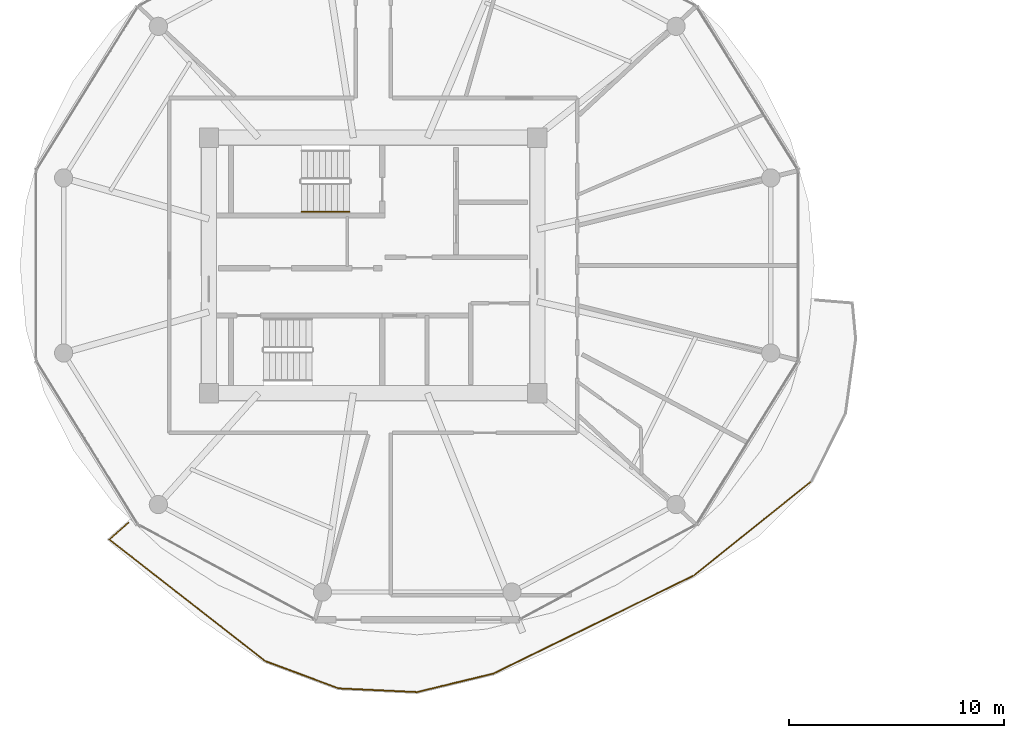
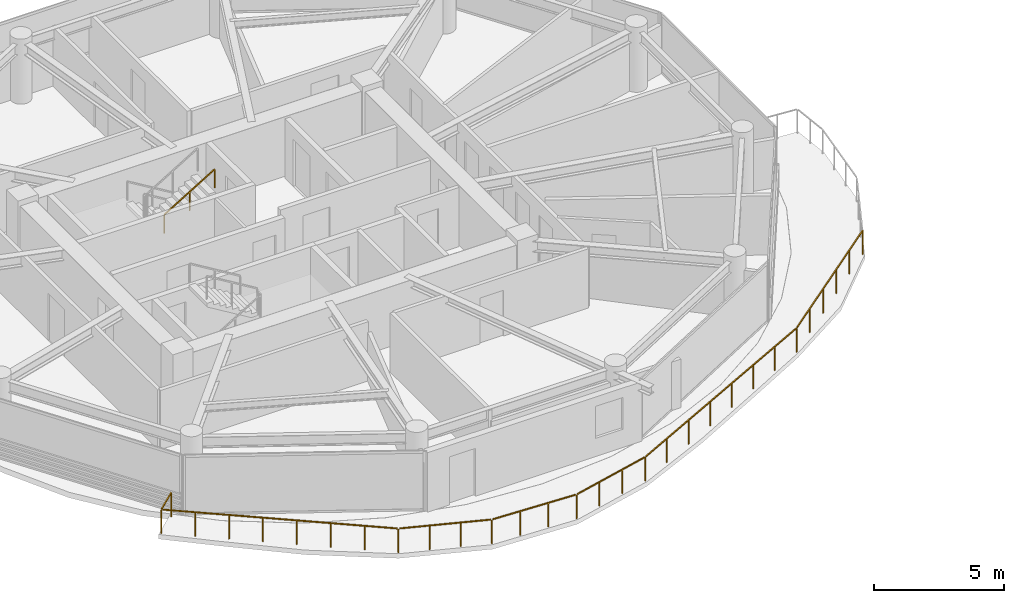
# One storey, part 20 of 24: 2 railings.
"""IFC4 building model written with IfcOpenShell, lengths in metres."""

from ifc_helpers import new_model, si_unit, direction, frame, origin, origin_2d, place, context, subcontext, project, spatial, rectangle, extrude, material, type_object, element, save


model = new_model("IFC4")

# Units and contexts
model_context = context("Model", 3, precision=1e-05, world=origin(), true_north=direction((0.0, 1.0)))
body_context = subcontext(model_context, "Body", "Model", "MODEL_VIEW")
ifc_project = project(units=[si_unit("LENGTHUNIT", "METRE"), si_unit("AREAUNIT", "SQUARE_METRE"), si_unit("VOLUMEUNIT", "CUBIC_METRE"), si_unit("PLANEANGLEUNIT", "RADIAN"), si_unit("MASSUNIT", "GRAM", prefix="KILO")], contexts=[model_context])

# Site, building, storey
site_placement = place(None, origin())
site = spatial("IfcSite", under=ifc_project, at=site_placement, CompositionType="ELEMENT")
building_placement = place(site_placement, origin())
building = spatial("IfcBuilding", under=site, at=building_placement, Name="Norrkilde Senior Care Towers", CompositionType="ELEMENT")
storey_placement = place(building_placement, frame((0.0, 0.0, 117.60009765625)))
storey = spatial("IfcBuildingStorey", under=building, at=storey_placement, Name="L36", CompositionType="ELEMENT", Elevation=117.60009765625)

# Railings
ifc_material_1 = material(Name="Anodised Aluminium", Category="aluminium")
railing_type_1 = type_object("IfcRailingType", Name="Balcony Swirl Ribbon Guardrail 1150", PredefinedType="GUARDRAIL", material=ifc_material_1)
railing_1_placement = place(storey_placement, frame((-7.587646484375, -10.04736328125, 0.0)))
element("IfcRailing", 1, at=railing_1_placement, inside=storey, type_object=railing_type_1, Name="L36 Perimeter Safety Guard 03", PredefinedType="GUARDRAIL", context=body_context, shape_type="SweptSolid", body=[
    extrude(rectangle(XDim=0.048095703125, YDim=0.048095703125, at=origin_2d()), frame((0.0, 0.0, 1.1259765625), z_axis=(-0.779692771032, -0.626162265552, 0.0), x_axis=(0.626162265552, -0.779692771032, 0.0)), (0.0, 0.0, 1.0), 6.97509765625),
    extrude(rectangle(XDim=0.048095703125, YDim=0.048095703125, at=origin_2d()), frame((-5.5068359375, -4.4111328125, 1.1259765625), z_axis=(-0.898382921517, -0.439213076225, 0.0), x_axis=(0.439213076225, -0.898382921517, 0.0)), (0.0, 0.0, 1.0), 10.328857421875),
    extrude(rectangle(XDim=0.048095703125, YDim=0.048095703125, at=origin_2d()), frame((-14.86279296875, -8.97509765625, 1.1259765625), z_axis=(-0.971929420434, -0.235272611444, 0.0), x_axis=(0.235272611444, -0.971929420434, 0.0)), (0.0, 0.0, 1.0), 3.56787109375),
    extrude(rectangle(XDim=0.048095703125, YDim=0.048095703125, at=origin_2d()), frame((-18.410888671875, -9.822265625, 1.1259765625), z_axis=(-0.998879735101, 0.047320976359, 0.0), x_axis=(-0.047320976359, -0.998879735101, 0.0)), (0.0, 0.0, 1.0), 3.576171875),
    extrude(rectangle(XDim=0.048095703125, YDim=0.048095703125, at=origin_2d()), frame((-22.062255859375, -9.636962890625, 1.1259765625), z_axis=(-0.937181662457, 0.348841699849, 0.0), x_axis=(-0.348841699849, -0.937181662457, 0.0)), (0.0, 0.0, 1.0), 3.566650390625),
    extrude(rectangle(XDim=0.048095703125, YDim=0.048095703125, at=origin_2d()), frame((-25.475341796875, -8.353271484375, 1.1259765625), z_axis=(-0.788260849369, 0.615341233261, 0.0), x_axis=(-0.615341233261, -0.788260849369, 0.0)), (0.0, 0.0, 1.0), 9.119384765625),
    extrude(rectangle(XDim=0.048095703125, YDim=0.048095703125, at=origin_2d()), frame((-32.665283203125, -2.689453125, 1.1259765625), z_axis=(0.749561659186, 0.661934527788, 0.0), x_axis=(-0.661934527788, 0.749561659186, 0.0)), (0.0, 0.0, 1.0), 1.14599609375),
    extrude(rectangle(XDim=0.0419921875, YDim=0.0419921875, at=origin_2d()), origin(), (0.0, 0.0, 1.0), 1.099853515625),
    extrude(rectangle(XDim=0.0419921875, YDim=0.0419921875, at=origin_2d()), frame((-1.093994140625, -0.878662109375, 0.0)), (0.0, 0.0, 1.0), 1.099853515625),
    extrude(rectangle(XDim=0.0419921875, YDim=0.0419921875, at=origin_2d()), frame((-2.18798828125, -1.75732421875, 0.0)), (0.0, 0.0, 1.0), 1.099853515625),
    extrude(rectangle(XDim=0.0419921875, YDim=0.0419921875, at=origin_2d()), frame((-3.2822265625, -2.6357421875, 0.0)), (0.0, 0.0, 1.0), 1.099853515625),
    extrude(rectangle(XDim=0.0419921875, YDim=0.0419921875, at=origin_2d()), frame((-4.376220703125, -3.514404296875, 0.0)), (0.0, 0.0, 1.0), 1.099853515625),
    extrude(rectangle(XDim=0.0419921875, YDim=0.0419921875, at=origin_2d()), frame((-5.47021484375, -4.39306640625, 0.0)), (0.0, 0.0, 1.0), 1.099853515625),
    extrude(rectangle(XDim=0.0419921875, YDim=0.0419921875, at=origin_2d()), frame((-6.806396484375, -5.04638671875, 0.0)), (0.0, 0.0, 1.0), 1.099853515625),
    extrude(rectangle(XDim=0.0419921875, YDim=0.0419921875, at=origin_2d()), frame((-8.142333984375, -5.699462890625, 0.0)), (0.0, 0.0, 1.0), 1.099853515625),
    extrude(rectangle(XDim=0.0419921875, YDim=0.0419921875, at=origin_2d()), frame((-9.478515625, -6.352783203125, 0.0)), (0.0, 0.0, 1.0), 1.099853515625),
    extrude(rectangle(XDim=0.0419921875, YDim=0.0419921875, at=origin_2d()), frame((-10.814697265625, -7.005859375, 0.0)), (0.0, 0.0, 1.0), 1.099853515625),
    extrude(rectangle(XDim=0.0419921875, YDim=0.0419921875, at=origin_2d()), frame((-12.15087890625, -7.6591796875, 0.0)), (0.0, 0.0, 1.0), 1.099853515625),
    extrude(rectangle(XDim=0.0419921875, YDim=0.0419921875, at=origin_2d()), frame((-13.48681640625, -8.312255859375, 0.0)), (0.0, 0.0, 1.0), 1.099853515625),
    extrude(rectangle(XDim=0.0419921875, YDim=0.0419921875, at=origin_2d()), frame((-14.822998046875, -8.965576171875, 0.0)), (0.0, 0.0, 1.0), 1.099853515625),
    extrude(rectangle(XDim=0.0419921875, YDim=0.0419921875, at=origin_2d()), frame((-16.00537109375, -9.251708984375, 0.0)), (0.0, 0.0, 1.0), 1.099853515625),
    extrude(rectangle(XDim=0.0419921875, YDim=0.0419921875, at=origin_2d()), frame((-17.187744140625, -9.5380859375, 0.0)), (0.0, 0.0, 1.0), 1.099853515625),
    extrude(rectangle(XDim=0.0419921875, YDim=0.0419921875, at=origin_2d()), frame((-18.3701171875, -9.82421875, 0.0)), (0.0, 0.0, 1.0), 1.099853515625),
    extrude(rectangle(XDim=0.0419921875, YDim=0.0419921875, at=origin_2d()), frame((-19.588134765625, -9.7666015625, 0.0)), (0.0, 0.0, 1.0), 1.099853515625),
    extrude(rectangle(XDim=0.0419921875, YDim=0.0419921875, at=origin_2d()), frame((-20.805908203125, -9.708740234375, 0.0)), (0.0, 0.0, 1.0), 1.099853515625),
    extrude(rectangle(XDim=0.0419921875, YDim=0.0419921875, at=origin_2d()), frame((-22.02392578125, -9.651123046875, 0.0)), (0.0, 0.0, 1.0), 1.099853515625),
    extrude(rectangle(XDim=0.0419921875, YDim=0.0419921875, at=origin_2d()), frame((-23.16357421875, -9.226806640625, 0.0)), (0.0, 0.0, 1.0), 1.099853515625),
    extrude(rectangle(XDim=0.0419921875, YDim=0.0419921875, at=origin_2d()), frame((-24.303466796875, -8.802734375, 0.0)), (0.0, 0.0, 1.0), 1.099853515625),
    extrude(rectangle(XDim=0.0419921875, YDim=0.0419921875, at=origin_2d()), frame((-25.443115234375, -8.37841796875, 0.0)), (0.0, 0.0, 1.0), 1.099853515625),
    extrude(rectangle(XDim=0.0419921875, YDim=0.0419921875, at=origin_2d()), frame((-26.479248046875, -7.569580078125, 0.0)), (0.0, 0.0, 1.0), 1.099853515625),
    extrude(rectangle(XDim=0.0419921875, YDim=0.0419921875, at=origin_2d()), frame((-27.515380859375, -6.7607421875, 0.0)), (0.0, 0.0, 1.0), 1.099853515625),
    extrude(rectangle(XDim=0.0419921875, YDim=0.0419921875, at=origin_2d()), frame((-28.551513671875, -5.951904296875, 0.0)), (0.0, 0.0, 1.0), 1.099853515625),
    extrude(rectangle(XDim=0.0419921875, YDim=0.0419921875, at=origin_2d()), frame((-29.587646484375, -5.14306640625, 0.0)), (0.0, 0.0, 1.0), 1.099853515625),
    extrude(rectangle(XDim=0.0419921875, YDim=0.0419921875, at=origin_2d()), frame((-30.623779296875, -4.334228515625, 0.0)), (0.0, 0.0, 1.0), 1.099853515625),
    extrude(rectangle(XDim=0.0419921875, YDim=0.0419921875, at=origin_2d()), frame((-31.659912109375, -3.525390625, 0.0)), (0.0, 0.0, 1.0), 1.099853515625),
    extrude(rectangle(XDim=0.0419921875, YDim=0.0419921875, at=origin_2d()), frame((-32.696044921875, -2.716552734375, 0.0)), (0.0, 0.0, 1.0), 1.099853515625),
    extrude(rectangle(XDim=0.0419921875, YDim=0.0419921875, at=origin_2d()), frame((-31.806396484375, -1.930908203125, 0.0)), (0.0, 0.0, 1.0), 1.099853515625),
])
ifc_material_2 = material(Name="Nordic Ash Timber", Category="wood")
railing_type_2 = type_object("IfcRailingType", Name="Wall and Stair Handrail 900", PredefinedType="HANDRAIL", material=ifc_material_2)
railing_2_placement = place(storey_placement, frame((-31.340087890625, 2.5, 1.6943359375)))
element("IfcRailing", 2, at=railing_2_placement, inside=storey, type_object=railing_type_2, Name="L36 ST-W1 stair handrail 2", PredefinedType="HANDRAIL", context=body_context, shape_type="SweptSolid", body=[
    extrude(rectangle(XDim=0.048095703125, YDim=0.048095703125, at=origin_2d()), frame((0.0, 0.0, 0.8759765625), z_axis=(0.855553338991, 0.0, 0.51771467445), x_axis=(0.0, 1.0, 0.0)), (0.0, 0.0, 1.0), 2.6181640625),
    extrude(rectangle(XDim=0.0419921875, YDim=0.0419921875, at=origin_2d()), origin(), (0.0, 0.0, 1.0), 0.849853515625),
    extrude(rectangle(XDim=0.0419921875, YDim=0.0419921875, at=origin_2d()), frame((1.1201171875, 0.0, 0.677734375)), (0.0, 0.0, 1.0), 0.849853515625),
    extrude(rectangle(XDim=0.0419921875, YDim=0.0419921875, at=origin_2d()), frame((2.239990234375, 0.0, 1.35546875)), (0.0, 0.0, 1.0), 0.849853515625),
])

save(model, "model.ifc")
